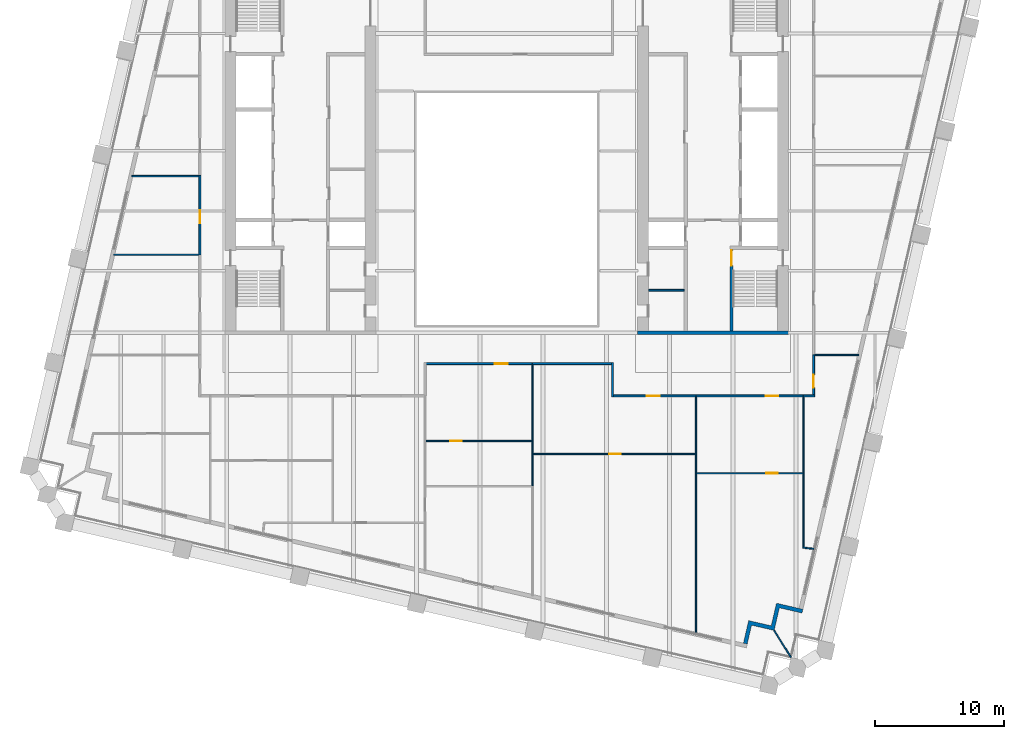
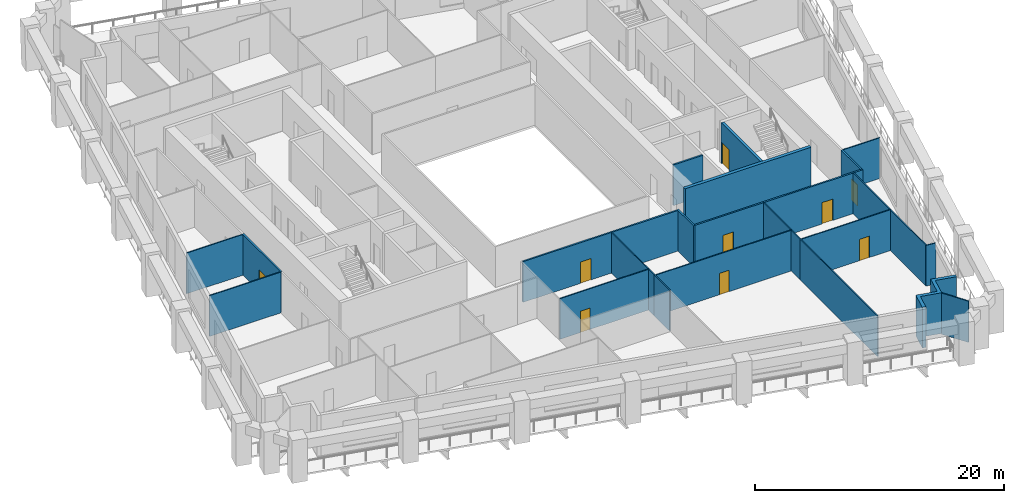
# One storey, part 5 of 11: 28 walls, 9 doors, 9 openings.
"""IFC4 building model written with IfcOpenShell, lengths in metres."""

from ifc_helpers import new_model, si_unit, direction, frame, frame_2d, origin, place, context, subcontext, project, spatial, polyline, rectangle, outline, extrude, material, layer, layer_set, type_object, element, fill, save


model = new_model("IFC4")

# Units and contexts
model_context = context("Model", 3, precision=1e-05, world=origin(), true_north=direction((0.0, 1.0)))
body_context = subcontext(model_context, "Body", "Model", "MODEL_VIEW")
ifc_project = project(units=[si_unit("LENGTHUNIT", "METRE"), si_unit("AREAUNIT", "SQUARE_METRE"), si_unit("VOLUMEUNIT", "CUBIC_METRE"), si_unit("PLANEANGLEUNIT", "RADIAN"), si_unit("MASSUNIT", "GRAM", prefix="KILO")], contexts=[model_context])

# Site, building, storey
site_placement = place(None, origin())
site = spatial("IfcSite", under=ifc_project, at=site_placement, CompositionType="ELEMENT")
building_placement = place(site_placement, origin())
building = spatial("IfcBuilding", under=site, at=building_placement, Name="Ogive Exchange Tower", CompositionType="ELEMENT")
storey_placement = place(building_placement, frame((0.0, 0.0, 135.0)))
storey = spatial("IfcBuildingStorey", under=building, at=storey_placement, Name="L29", CompositionType="ELEMENT", Elevation=135.0)

# Wall
ifc_material_1 = material(Name="Gypsum board partition")
ifc_layer_1 = layer(ifc_material_1, 0.14990234375)
ifc_layer_set_1 = layer_set([ifc_layer_1], Name="Core room partition 150 gypsum")
wall_type_1 = type_object("IfcWallType", Name="Core room partition 150 gypsum", PredefinedType="PARTITIONING", material=ifc_layer_set_1)
wall_1_placement = place(storey_placement, frame((11.0, 0.699951171875, 0.0), z_axis=(0.0, 0.0, 1.0), x_axis=(1.0, 0.0, 0.0)))
element("IfcWall", 1, at=wall_1_placement, inside=storey, type_object=wall_type_1, Name="E south room partition", PredefinedType="PARTITIONING", context=body_context, shape_type="SweptSolid", body=[
    extrude(rectangle(XDim=2.75, YDim=0.14990234375, at=frame_2d((1.375, 0.0))), origin(), (0.0, 0.0, 1.0), 4.0),
])

# Wall, opening, door
ifc_material_2 = material(Name="Fire partition EI 60 150")
ifc_layer_2 = layer(ifc_material_2, 0.14990234375)
ifc_layer_set_2 = layer_set([ifc_layer_2], Name="Fire partition EI 60 150")
wall_type_2 = type_object("IfcWallType", Name="Fire partition EI 60 150", PredefinedType="PARTITIONING", material=ifc_layer_set_2)
wall_2_placement = place(storey_placement, frame((-23.800048828125, 3.449951171875, 0.0), z_axis=(0.0, 0.0, 1.0), x_axis=(0.0, 1.0, 0.0)))
wall_2 = element("IfcWall", 2, at=wall_2_placement, inside=storey, type_object=wall_type_2, Name="L29-PWL-007", PredefinedType="PARTITIONING", context=body_context, shape_type="SweptSolid", body=[
    extrude(rectangle(XDim=6.150146484375, YDim=0.14990234375, at=frame_2d((3.0751953125, 0.0))), origin(), (0.0, 0.0, 1.0), 4.0),
])
opening_1_placement = place(wall_2_placement, frame((2.449951171875, 0.0, 0.0)))
opening_1 = element("IfcOpeningElement", 3, at=opening_1_placement, cuts=wall_2, Name="Opening L29-I25", PredefinedType="OPENING", context=body_context, shape_type="SweptSolid", body=[
    extrude(rectangle(XDim=1.0, YDim=2.10009765625, at=frame_2d((0.5, 1.050048828125))), frame((0.0, 0.0849609375, 0.0), z_axis=(0.0, -1.0, 0.0), x_axis=(1.0, 0.0, 0.0)), (0.0, 0.0, 1.0), 0.169921875),
])
ifc_material_3 = material(Name="Fire door FD 30S 1000 x 2100")
door_type_1 = type_object("IfcDoorType", Name="Fire door FD 30S 1000 x 2100", OperationType="NOTDEFINED", PredefinedType="DOOR", material=ifc_material_3)
door_1_placement = place(opening_1_placement, origin())
door_1 = element("IfcDoor", 4, at=door_1_placement, inside=storey, type_object=door_type_1, Name="L29-IDR-025", ObjectType="DT3", OperationType="SINGLE_SWING_RIGHT", OverallHeight=2.10009765625, OverallWidth=1.0, PredefinedType="DOOR", context=body_context, shape_type="SweptSolid", body=[
    extrude(rectangle(XDim=1.0, YDim=2.10009765625, at=frame_2d((0.5, 1.050048828125))), frame((0.0, 0.02490234375, 0.0), z_axis=(0.0, -1.0, 0.0), x_axis=(1.0, 0.0, 0.0)), (0.0, 0.0, 1.0), 0.050048828125),
])
fill(opening_1, door_1)

wall_3_placement = place(storey_placement, frame((2.0400390625, -5.0, 0.0), z_axis=(0.0, 0.0, 1.0), x_axis=(-1.0, 0.0, 0.0)))
wall_3 = element("IfcWall", 5, at=wall_3_placement, inside=storey, type_object=wall_type_2, Name="L29-PWL-055", PredefinedType="PARTITIONING", context=body_context, shape_type="SweptSolid", body=[
    extrude(rectangle(XDim=8.304931640625, YDim=0.14990234375, at=frame_2d((4.15234375, 0.0))), origin(), (0.0, 0.0, 1.0), 4.0),
])
opening_2_placement = place(wall_3_placement, frame((1.97998046875, 0.0, 0.0)))
opening_2 = element("IfcOpeningElement", 6, at=opening_2_placement, cuts=wall_3, Name="Opening L29-I01", PredefinedType="OPENING", context=body_context, shape_type="SweptSolid", body=[
    extrude(rectangle(XDim=1.0, YDim=2.10009765625, at=frame_2d((0.5, 1.050048828125))), frame((0.0, 0.0849609375, 0.0), z_axis=(0.0, -1.0, 0.0), x_axis=(1.0, 0.0, 0.0)), (0.0, 0.0, 1.0), 0.169921875),
])
door_2_placement = place(opening_2_placement, origin())
door_2 = element("IfcDoor", 7, at=door_2_placement, inside=storey, type_object=door_type_1, Name="L29-IDR-001", ObjectType="DT3", OperationType="SINGLE_SWING_RIGHT", OverallHeight=2.10009765625, OverallWidth=1.0, PredefinedType="DOOR", context=body_context, shape_type="SweptSolid", body=[
    extrude(rectangle(XDim=1.0, YDim=2.10009765625, at=frame_2d((0.5, 1.050048828125))), frame((0.0, 0.02490234375, 0.0), z_axis=(0.0, -1.0, 0.0), x_axis=(1.0, 0.0, 0.0)), (0.0, 0.0, 1.0), 0.050048828125),
])
fill(opening_2, door_2)

# Walls
wall_4_placement = place(storey_placement, frame((8.199951171875, -7.574951171875, 0.0), z_axis=(0.0, 0.0, 1.0), x_axis=(0.0, 1.0, 0.0)))
element("IfcWall", 8, at=wall_4_placement, inside=storey, type_object=wall_type_2, Name="L29-PWL-061", PredefinedType="PARTITIONING", context=body_context, shape_type="SweptSolid", body=[
    extrude(rectangle(XDim=2.64990234375, YDim=0.14990234375, at=frame_2d((1.324951171875, 0.0))), origin(), (0.0, 0.0, 1.0), 4.0),
])
wall_5_placement = place(storey_placement, frame((8.125, -5.0, 0.0), z_axis=(0.0, 0.0, 1.0), x_axis=(-1.0, 0.0, 0.0)))
element("IfcWall", 9, at=wall_5_placement, inside=storey, type_object=wall_type_2, Name="L29-PWL-062", PredefinedType="PARTITIONING", context=body_context, shape_type="SweptSolid", body=[
    extrude(rectangle(XDim=6.135009765625, YDim=0.14990234375, at=frame_2d((3.0673828125, 0.0))), origin(), (0.0, 0.0, 1.0), 4.0),
])

# Wall, opening, door
wall_6_placement = place(storey_placement, frame((14.669921875, -7.5, 0.0), z_axis=(0.0, 0.0, 1.0), x_axis=(-1.0, 0.0, 0.0)))
wall_6 = element("IfcWall", 10, at=wall_6_placement, inside=storey, type_object=wall_type_2, Name="L29-PWL-071", PredefinedType="PARTITIONING", context=body_context, shape_type="SweptSolid", body=[
    extrude(rectangle(XDim=6.39501953125, YDim=0.14990234375, at=frame_2d((3.197509765625, 0.0))), origin(), (0.0, 0.0, 1.0), 4.0),
])
opening_3_placement = place(wall_6_placement, frame((2.820068359375, 0.0, 0.0)))
opening_3 = element("IfcOpeningElement", 11, at=opening_3_placement, cuts=wall_6, Name="Opening L29-I04", PredefinedType="OPENING", context=body_context, shape_type="SweptSolid", body=[
    extrude(rectangle(XDim=1.0, YDim=2.10009765625, at=frame_2d((0.5, 1.050048828125))), frame((0.0, 0.0849609375, 0.0), z_axis=(0.0, -1.0, 0.0), x_axis=(1.0, 0.0, 0.0)), (0.0, 0.0, 1.0), 0.169921875),
])
door_3_placement = place(opening_3_placement, origin())
door_3 = element("IfcDoor", 12, at=door_3_placement, inside=storey, type_object=door_type_1, Name="L29-IDR-004", ObjectType="DT3", OperationType="SINGLE_SWING_RIGHT", OverallHeight=2.10009765625, OverallWidth=1.0, PredefinedType="DOOR", context=body_context, shape_type="SweptSolid", body=[
    extrude(rectangle(XDim=1.0, YDim=2.10009765625, at=frame_2d((0.5, 1.050048828125))), frame((0.0, 0.02490234375, 0.0), z_axis=(0.0, -1.0, 0.0), x_axis=(1.0, 0.0, 0.0)), (0.0, 0.0, 1.0), 0.050048828125),
])
fill(opening_3, door_3)

wall_7_placement = place(storey_placement, frame((23.06005859375, -7.5, 0.0), z_axis=(0.0, 0.0, 1.0), x_axis=(-1.0, 0.0, 0.0)))
wall_7 = element("IfcWall", 13, at=wall_7_placement, inside=storey, type_object=wall_type_2, Name="L29-PWL-076", PredefinedType="PARTITIONING", context=body_context, shape_type="SweptSolid", body=[
    extrude(rectangle(XDim=8.39013671875, YDim=0.14990234375, at=frame_2d((4.195068359375, 0.0))), origin(), (0.0, 0.0, 1.0), 4.0),
])
opening_4_placement = place(wall_7_placement, frame((1.989990234375, 0.0, 0.0)))
opening_4 = element("IfcOpeningElement", 14, at=opening_4_placement, cuts=wall_7, Name="Opening L29-I06", PredefinedType="OPENING", context=body_context, shape_type="SweptSolid", body=[
    extrude(rectangle(XDim=1.0, YDim=2.10009765625, at=frame_2d((0.5, 1.050048828125))), frame((0.0, 0.0849609375, 0.0), z_axis=(0.0, -1.0, 0.0), x_axis=(1.0, 0.0, 0.0)), (0.0, 0.0, 1.0), 0.169921875),
])
door_4_placement = place(opening_4_placement, origin())
door_4 = element("IfcDoor", 15, at=door_4_placement, inside=storey, type_object=door_type_1, Name="L29-IDR-006", ObjectType="DT3", OperationType="SINGLE_SWING_RIGHT", OverallHeight=2.10009765625, OverallWidth=1.0, PredefinedType="DOOR", context=body_context, shape_type="SweptSolid", body=[
    extrude(rectangle(XDim=1.0, YDim=2.10009765625, at=frame_2d((0.5, 1.050048828125))), frame((0.0, 0.02490234375, 0.0), z_axis=(0.0, -1.0, 0.0), x_axis=(1.0, 0.0, 0.0)), (0.0, 0.0, 1.0), 0.050048828125),
])
fill(opening_4, door_4)

# Wall
wall_8_placement = place(storey_placement, frame((23.875, -7.5, 0.0), z_axis=(0.0, 0.0, 1.0), x_axis=(-1.0, 0.0, 0.0)))
element("IfcWall", 16, at=wall_8_placement, inside=storey, type_object=wall_type_2, Name="L29-PWL-080", PredefinedType="PARTITIONING", context=body_context, shape_type="SweptSolid", body=[
    extrude(rectangle(XDim=0.864990234375, YDim=0.14990234375, at=frame_2d((0.4326171875, 0.0))), origin(), (0.0, 0.0, 1.0), 4.0),
])

# Wall, opening, door
wall_9_placement = place(storey_placement, frame((23.800048828125, -4.320068359375, 0.0), z_axis=(0.0, 0.0, 1.0), x_axis=(0.0, -1.0, 0.0)))
wall_9 = element("IfcWall", 17, at=wall_9_placement, inside=storey, type_object=wall_type_2, Name="L29-PWL-081", PredefinedType="PARTITIONING", context=body_context, shape_type="SweptSolid", body=[
    extrude(rectangle(XDim=3.10498046875, YDim=0.14990234375, at=frame_2d((1.552490234375, 0.0))), origin(), (0.0, 0.0, 1.0), 4.0),
])
opening_5_placement = place(wall_9_placement, frame((1.530029296875, 0.0, 0.0)))
opening_5 = element("IfcOpeningElement", 18, at=opening_5_placement, cuts=wall_9, Name="Opening L29-I08", PredefinedType="OPENING", context=body_context, shape_type="SweptSolid", body=[
    extrude(rectangle(XDim=1.0, YDim=2.10009765625, at=frame_2d((0.5, 1.050048828125))), frame((0.0, 0.0849609375, 0.0), z_axis=(0.0, -1.0, 0.0), x_axis=(1.0, 0.0, 0.0)), (0.0, 0.0, 1.0), 0.169921875),
])
door_5_placement = place(opening_5_placement, origin())
door_5 = element("IfcDoor", 19, at=door_5_placement, inside=storey, type_object=door_type_1, Name="L29-IDR-008", ObjectType="DT3", OperationType="SINGLE_SWING_RIGHT", OverallHeight=2.10009765625, OverallWidth=1.0, PredefinedType="DOOR", context=body_context, shape_type="SweptSolid", body=[
    extrude(rectangle(XDim=1.0, YDim=2.10009765625, at=frame_2d((0.5, 1.050048828125))), frame((0.0, 0.02490234375, 0.0), z_axis=(0.0, -1.0, 0.0), x_axis=(1.0, 0.0, 0.0)), (0.0, 0.0, 1.0), 0.050048828125),
])
fill(opening_5, door_5)

# Walls
ifc_material_4 = material(Name="Precast concrete C40/50", Category="concrete")
ifc_layer_3 = layer(ifc_material_4, 0.300048828125)
ifc_layer_set_3 = layer_set([ifc_layer_3], Name="Limestone-faced wall 300")
wall_type_3 = type_object("IfcWallType", Name="Limestone-faced wall 300", PredefinedType="STANDARD", material=ifc_layer_set_3)
wall_10_placement = place(storey_placement, origin())
element("IfcWall", 20, at=wall_10_placement, inside=storey, type_object=wall_type_3, Name="External corner wall C1", PredefinedType="STANDARD", context=body_context, shape_type="SweptSolid", body=[
    extrude(outline(polyline([(20.515380859375, -25.330810546875), (20.92041015625, -23.576904296875), (22.966552734375, -24.04931640625), (22.89892578125, -24.341552734375), (21.145263671875, -23.936767578125), (20.740234375, -25.690673828125), (18.986328125, -25.28564453125), (18.64892578125, -26.747314453125), (18.356689453125, -26.6796875), (18.76171875, -24.92578125), (20.515380859375, -25.330810546875)])), origin(), (0.0, 0.0, 1.0), 4.0),
])
ifc_material_5 = material(Name="Laminated safety glass in steel frame", Category="steel")
ifc_layer_4 = layer(ifc_material_5, 0.10009765625)
ifc_layer_set_4 = layer_set([ifc_layer_4], Name="Loggia end screen 100")
wall_type_4 = type_object("IfcWallType", Name="Loggia end screen 100", PredefinedType="STANDARD", material=ifc_layer_set_4)
wall_11_placement = place(storey_placement, frame((20.740234375, -25.690673828125, -0.050048828125), z_axis=(0.0, 0.0, 1.0), x_axis=(0.529972121605, -0.848015064914, 0.0)))
element("IfcWall", 21, at=wall_11_placement, inside=storey, type_object=wall_type_4, Name="Loggia end screen C1", PredefinedType="STANDARD", context=body_context, shape_type="SweptSolid", body=[
    extrude(rectangle(XDim=2.454833984375, YDim=0.10009765625, at=frame_2d((1.2275390625, 0.0))), origin(), (0.0, 0.0, 1.0), 4.050048828125),
])
ifc_material_6 = material(Name="Partition 100 gypsum")
ifc_layer_5 = layer(ifc_material_6, 0.10009765625)
ifc_layer_set_5 = layer_set([ifc_layer_5], Name="Partition 100 gypsum")
wall_type_5 = type_object("IfcWallType", Name="Partition 100 gypsum", PredefinedType="PARTITIONING", material=ifc_layer_set_5)
wall_12_placement = place(storey_placement, frame((-23.875, 3.449951171875, 0.0), z_axis=(0.0, 0.0, 1.0), x_axis=(-1.0, 0.0, 0.0)))
element("IfcWall", 22, at=wall_12_placement, inside=storey, type_object=wall_type_5, Name="L29-PWL-006", PredefinedType="PARTITIONING", context=body_context, shape_type="SweptSolid", body=[
    extrude(rectangle(XDim=6.623046875, YDim=0.10009765625, at=frame_2d((3.3115234375, 0.0))), origin(), (0.0, 0.0, 1.0), 4.0),
])
wall_13_placement = place(storey_placement, frame((-23.875, 9.550048828125, 0.0), z_axis=(0.0, 0.0, 1.0), x_axis=(-1.0, 0.0, 0.0)))
element("IfcWall", 23, at=wall_13_placement, inside=storey, type_object=wall_type_5, Name="L29-PWL-008", PredefinedType="PARTITIONING", context=body_context, shape_type="SweptSolid", body=[
    extrude(rectangle(XDim=5.215087890625, YDim=0.10009765625, at=frame_2d((2.607421875, 0.0))), origin(), (0.0, 0.0, 1.0), 4.0),
])
wall_14_placement = place(storey_placement, frame((1.989990234375, -11.949951171875, 0.0), z_axis=(0.0, 0.0, 1.0), x_axis=(0.0, -1.0, 0.0)))
element("IfcWall", 24, at=wall_14_placement, inside=storey, type_object=wall_type_5, Name="L29-PWL-052", PredefinedType="PARTITIONING", context=body_context, shape_type="SweptSolid", body=[
    extrude(rectangle(XDim=2.5, YDim=0.10009765625, at=frame_2d((1.25, 0.0))), origin(), (0.0, 0.0, 1.0), 4.0),
])

# Wall, opening, door
wall_15_placement = place(storey_placement, frame((2.0400390625, -11.0, 0.0), z_axis=(0.0, 0.0, 1.0), x_axis=(-1.0, 0.0, 0.0)))
wall_15 = element("IfcWall", 25, at=wall_15_placement, inside=storey, type_object=wall_type_5, Name="L29-PWL-053", PredefinedType="PARTITIONING", context=body_context, shape_type="SweptSolid", body=[
    extrude(rectangle(XDim=8.330078125, YDim=0.10009765625, at=frame_2d((4.1650390625, 0.0))), origin(), (0.0, 0.0, 1.0), 4.0),
])
opening_6_placement = place(wall_15_placement, frame((5.530029296875, 0.0, 0.0)))
opening_6 = element("IfcOpeningElement", 26, at=opening_6_placement, cuts=wall_15, Name="Opening L29-I02", PredefinedType="OPENING", context=body_context, shape_type="SweptSolid", body=[
    extrude(rectangle(XDim=0.89990234375, YDim=2.10009765625, at=frame_2d((0.449951171875, 1.050048828125))), frame((0.0, 0.06005859375, 0.0), z_axis=(0.0, -1.0, 0.0), x_axis=(1.0, 0.0, 0.0)), (0.0, 0.0, 1.0), 0.1201171875),
])
ifc_material_7 = material(Name="Door 900 x 2100")
door_type_2 = type_object("IfcDoorType", Name="Door 900 x 2100", OperationType="NOTDEFINED", PredefinedType="DOOR", material=ifc_material_7)
door_6_placement = place(opening_6_placement, origin())
door_6 = element("IfcDoor", 27, at=door_6_placement, inside=storey, type_object=door_type_2, Name="L29-IDR-002", ObjectType="DT1", OperationType="SINGLE_SWING_LEFT", OverallHeight=2.10009765625, OverallWidth=0.89990234375, PredefinedType="DOOR", context=body_context, shape_type="SweptSolid", body=[
    extrude(rectangle(XDim=0.89990234375, YDim=2.10009765625, at=frame_2d((0.449951171875, 1.050048828125))), frame((0.0, 0.02490234375, 0.0), z_axis=(0.0, -1.0, 0.0), x_axis=(1.0, 0.0, 0.0)), (0.0, 0.0, 1.0), 0.050048828125),
])
fill(opening_6, door_6)

# Walls
wall_16_placement = place(storey_placement, frame((1.989990234375, -11.050048828125, 0.0), z_axis=(0.0, 0.0, 1.0), x_axis=(0.0, -1.0, 0.0)))
element("IfcWall", 28, at=wall_16_placement, inside=storey, type_object=wall_type_5, Name="L29-PWL-054", PredefinedType="PARTITIONING", context=body_context, shape_type="SweptSolid", body=[
    extrude(rectangle(XDim=0.89990234375, YDim=0.10009765625, at=frame_2d((0.449951171875, 0.0))), origin(), (0.0, 0.0, 1.0), 4.0),
])
wall_17_placement = place(storey_placement, frame((1.989990234375, -5.074951171875, 0.0), z_axis=(0.0, 0.0, 1.0), x_axis=(0.0, -1.0, 0.0)))
element("IfcWall", 29, at=wall_17_placement, inside=storey, type_object=wall_type_5, Name="L29-PWL-056", PredefinedType="PARTITIONING", context=body_context, shape_type="SweptSolid", body=[
    extrude(rectangle(XDim=5.875, YDim=0.10009765625, at=frame_2d((2.9375, 0.0))), origin(), (0.0, 0.0, 1.0), 4.0),
])
wall_18_placement = place(storey_placement, frame((14.669921875, -13.449951171875, 0.0), z_axis=(0.0, 0.0, 1.0), x_axis=(0.0, -1.0, 0.0)))
element("IfcWall", 30, at=wall_18_placement, inside=storey, type_object=wall_type_5, Name="L29-PWL-068", PredefinedType="PARTITIONING", context=body_context, shape_type="SweptSolid", body=[
    extrude(rectangle(XDim=12.4609375, YDim=0.10009765625, at=frame_2d((6.23046875, 0.0))), origin(), (0.0, 0.0, 1.0), 4.0),
])

# Wall, opening, door
wall_19_placement = place(storey_placement, frame((14.719970703125, -12.0, 0.0), z_axis=(0.0, 0.0, 1.0), x_axis=(-1.0, 0.0, 0.0)))
wall_19 = element("IfcWall", 31, at=wall_19_placement, inside=storey, type_object=wall_type_5, Name="L29-PWL-069", PredefinedType="PARTITIONING", context=body_context, shape_type="SweptSolid", body=[
    extrude(rectangle(XDim=12.679931640625, YDim=0.10009765625, at=frame_2d((6.33984375, 0.0))), origin(), (0.0, 0.0, 1.0), 4.0),
])
opening_7_placement = place(wall_19_placement, frame((5.8798828125, 0.0, 0.0)))
opening_7 = element("IfcOpeningElement", 32, at=opening_7_placement, cuts=wall_19, Name="Opening L29-I05", PredefinedType="OPENING", context=body_context, shape_type="SweptSolid", body=[
    extrude(rectangle(XDim=0.89990234375, YDim=2.10009765625, at=frame_2d((0.449951171875, 1.050048828125))), frame((0.0, 0.06005859375, 0.0), z_axis=(0.0, -1.0, 0.0), x_axis=(1.0, 0.0, 0.0)), (0.0, 0.0, 1.0), 0.1201171875),
])
door_7_placement = place(opening_7_placement, frame((0.89990234375, 0.0, 0.0), z_axis=(0.0, 0.0, 1.0), x_axis=(-1.0, 0.0, 0.0)))
door_7 = element("IfcDoor", 33, at=door_7_placement, inside=storey, type_object=door_type_2, Name="L29-IDR-005", ObjectType="DT1", OperationType="SINGLE_SWING_LEFT", OverallHeight=2.10009765625, OverallWidth=0.89990234375, PredefinedType="DOOR", context=body_context, shape_type="SweptSolid", body=[
    extrude(rectangle(XDim=0.89990234375, YDim=2.10009765625, at=frame_2d((0.449951171875, 1.050048828125))), frame((0.0, 0.02490234375, 0.0), z_axis=(0.0, -1.0, 0.0), x_axis=(1.0, 0.0, 0.0)), (0.0, 0.0, 1.0), 0.050048828125),
])
fill(opening_7, door_7)

# Walls
wall_20_placement = place(storey_placement, frame((14.669921875, -12.050048828125, 0.0), z_axis=(0.0, 0.0, 1.0), x_axis=(0.0, -1.0, 0.0)))
element("IfcWall", 34, at=wall_20_placement, inside=storey, type_object=wall_type_5, Name="L29-PWL-070", PredefinedType="PARTITIONING", context=body_context, shape_type="SweptSolid", body=[
    extrude(rectangle(XDim=1.39990234375, YDim=0.10009765625, at=frame_2d((0.699951171875, 0.0))), origin(), (0.0, 0.0, 1.0), 4.0),
])
wall_21_placement = place(storey_placement, frame((14.669921875, -7.574951171875, 0.0), z_axis=(0.0, 0.0, 1.0), x_axis=(0.0, -1.0, 0.0)))
element("IfcWall", 35, at=wall_21_placement, inside=storey, type_object=wall_type_5, Name="L29-PWL-072", PredefinedType="PARTITIONING", context=body_context, shape_type="SweptSolid", body=[
    extrude(rectangle(XDim=4.375, YDim=0.10009765625, at=frame_2d((2.1875, 0.0))), origin(), (0.0, 0.0, 1.0), 4.0),
])
wall_22_placement = place(storey_placement, frame((22.9599609375, -19.263916015625, 0.0), z_axis=(0.0, 0.0, 1.0), x_axis=(0.993326131588, -0.115339482852, 0.0)))
element("IfcWall", 36, at=wall_22_placement, inside=storey, type_object=wall_type_5, Name="L29-PWL-073", PredefinedType="PARTITIONING", context=body_context, shape_type="SweptSolid", body=[
    extrude(rectangle(XDim=0.867919921875, YDim=0.10009765625, at=frame_2d((0.43408203125, 0.0))), origin(), (0.0, 0.0, 1.0), 4.0),
])

# Wall, opening, door
wall_23_placement = place(storey_placement, frame((23.06005859375, -13.5, 0.0), z_axis=(0.0, 0.0, 1.0), x_axis=(-1.0, 0.0, 0.0)))
wall_23 = element("IfcWall", 37, at=wall_23_placement, inside=storey, type_object=wall_type_5, Name="L29-PWL-074", PredefinedType="PARTITIONING", context=body_context, shape_type="SweptSolid", body=[
    extrude(rectangle(XDim=8.340087890625, YDim=0.10009765625, at=frame_2d((4.169921875, 0.0))), origin(), (0.0, 0.0, 1.0), 4.0),
])
opening_8_placement = place(wall_23_placement, frame((2.0400390625, 0.0, 0.0)))
opening_8 = element("IfcOpeningElement", 38, at=opening_8_placement, cuts=wall_23, Name="Opening L29-I07", PredefinedType="OPENING", context=body_context, shape_type="SweptSolid", body=[
    extrude(rectangle(XDim=0.89990234375, YDim=2.10009765625, at=frame_2d((0.449951171875, 1.050048828125))), frame((0.0, 0.06005859375, 0.0), z_axis=(0.0, -1.0, 0.0), x_axis=(1.0, 0.0, 0.0)), (0.0, 0.0, 1.0), 0.1201171875),
])
door_8_placement = place(opening_8_placement, frame((0.89990234375, 0.0, 0.0), z_axis=(0.0, 0.0, 1.0), x_axis=(-1.0, 0.0, 0.0)))
door_8 = element("IfcDoor", 39, at=door_8_placement, inside=storey, type_object=door_type_2, Name="L29-IDR-007", ObjectType="DT1", OperationType="SINGLE_SWING_LEFT", OverallHeight=2.10009765625, OverallWidth=0.89990234375, PredefinedType="DOOR", context=body_context, shape_type="SweptSolid", body=[
    extrude(rectangle(XDim=0.89990234375, YDim=2.10009765625, at=frame_2d((0.449951171875, 1.050048828125))), frame((0.0, 0.02490234375, 0.0), z_axis=(0.0, -1.0, 0.0), x_axis=(1.0, 0.0, 0.0)), (0.0, 0.0, 1.0), 0.050048828125),
])
fill(opening_8, door_8)

# Walls
wall_24_placement = place(storey_placement, frame((23.010009765625, -13.550048828125, 0.0), z_axis=(0.0, 0.0, 1.0), x_axis=(0.0, -1.0, 0.0)))
element("IfcWall", 40, at=wall_24_placement, inside=storey, type_object=wall_type_5, Name="L29-PWL-075", PredefinedType="PARTITIONING", context=body_context, shape_type="SweptSolid", body=[
    extrude(rectangle(XDim=5.669921875, YDim=0.10009765625, at=frame_2d((2.8349609375, 0.0))), origin(), (0.0, 0.0, 1.0), 4.0),
])
wall_25_placement = place(storey_placement, frame((23.010009765625, -7.574951171875, 0.0), z_axis=(0.0, 0.0, 1.0), x_axis=(0.0, -1.0, 0.0)))
element("IfcWall", 41, at=wall_25_placement, inside=storey, type_object=wall_type_5, Name="L29-PWL-077", PredefinedType="PARTITIONING", context=body_context, shape_type="SweptSolid", body=[
    extrude(rectangle(XDim=5.875, YDim=0.10009765625, at=frame_2d((2.9375, 0.0))), origin(), (0.0, 0.0, 1.0), 4.0),
])
wall_26_placement = place(storey_placement, frame((23.875, -4.320068359375, 0.0), z_axis=(0.0, 0.0, 1.0), x_axis=(1.0, 0.0, 0.0)))
element("IfcWall", 42, at=wall_26_placement, inside=storey, type_object=wall_type_5, Name="L29-PWL-082", PredefinedType="PARTITIONING", context=body_context, shape_type="SweptSolid", body=[
    extrude(rectangle(XDim=3.4208984375, YDim=0.10009765625, at=frame_2d((1.71044921875, 0.0))), origin(), (0.0, 0.0, 1.0), 4.0),
])

# Wall, opening, door
ifc_material_8 = material(Name="Concrete C70/85", Category="concrete")
ifc_layer_6 = layer(ifc_material_8, 0.25)
ifc_layer_set_6 = layer_set([ifc_layer_6], Name="RC core wall 250 C70/85")
wall_type_6 = type_object("IfcWallType", Name="RC core wall 250 C70/85", PredefinedType="SHEAR", material=ifc_layer_set_6)
wall_27_placement = place(storey_placement, frame((17.425048828125, -2.449951171875, 0.0), z_axis=(0.0, 0.0, 1.0), x_axis=(0.0, 1.0, 0.0)))
wall_27 = element("IfcWall", 43, at=wall_27_placement, inside=storey, type_object=wall_type_6, Name="E stair S front wall", PredefinedType="SHEAR", context=body_context, shape_type="SweptSolid", body=[
    extrude(rectangle(XDim=6.300048828125, YDim=0.25, at=frame_2d((3.14990234375, 0.0))), origin(), (0.0, 0.0, 1.0), 4.0),
])
opening_9_placement = place(wall_27_placement, frame((5.050048828125, 0.0, 0.0)))
opening_9 = element("IfcOpeningElement", 44, at=opening_9_placement, cuts=wall_27, Name="Opening L29-C30", PredefinedType="OPENING", context=body_context, shape_type="SweptSolid", body=[
    extrude(rectangle(XDim=1.199951171875, YDim=2.10009765625, at=frame_2d((0.60009765625, 1.050048828125))), frame((0.0, 0.135009765625, 0.0), z_axis=(0.0, -1.0, 0.0), x_axis=(1.0, 0.0, 0.0)), (0.0, 0.0, 1.0), 0.27001953125),
])
ifc_material_9 = material(Name="Steel fire door", Category="steel")
door_type_3 = type_object("IfcDoorType", Name="Stair door FD90 1200 x 2100", OperationType="NOTDEFINED", PredefinedType="DOOR", material=ifc_material_9)
door_9_placement = place(opening_9_placement, frame((1.199951171875, 0.0, 0.0), z_axis=(0.0, 0.0, 1.0), x_axis=(-1.0, 0.0, 0.0)))
door_9 = element("IfcDoor", 45, at=door_9_placement, inside=storey, type_object=door_type_3, Name="Stair door", ObjectType="CD5", OperationType="SINGLE_SWING_RIGHT", OverallHeight=2.10009765625, OverallWidth=1.199951171875, PredefinedType="DOOR", context=body_context, shape_type="SweptSolid", body=[
    extrude(rectangle(XDim=1.199951171875, YDim=2.10009765625, at=frame_2d((0.60009765625, 1.050048828125))), frame((0.0, 0.02490234375, 0.0), z_axis=(0.0, -1.0, 0.0), x_axis=(1.0, 0.0, 0.0)), (0.0, 0.0, 1.0), 0.050048828125),
])
fill(opening_9, door_9)

# Wall
ifc_layer_7 = layer(ifc_material_8, 0.300048828125)
ifc_layer_set_7 = layer_set([ifc_layer_7], Name="RC core wall 300 C70/85")
wall_type_7 = type_object("IfcWallType", Name="RC core wall 300 C70/85", PredefinedType="SHEAR", material=ifc_layer_set_7)
wall_28_placement = place(storey_placement, frame((10.14990234375, -2.60009765625, 0.0), z_axis=(0.0, 0.0, 1.0), x_axis=(1.0, 0.0, 0.0)))
element("IfcWall", 46, at=wall_28_placement, inside=storey, type_object=wall_type_7, Name="E south end wall", PredefinedType="SHEAR", context=body_context, shape_type="SweptSolid", body=[
    extrude(rectangle(XDim=11.7001953125, YDim=0.300048828125, at=frame_2d((5.85009765625, 0.0))), origin(), (0.0, 0.0, 1.0), 4.0),
])

save(model, "model.ifc")
